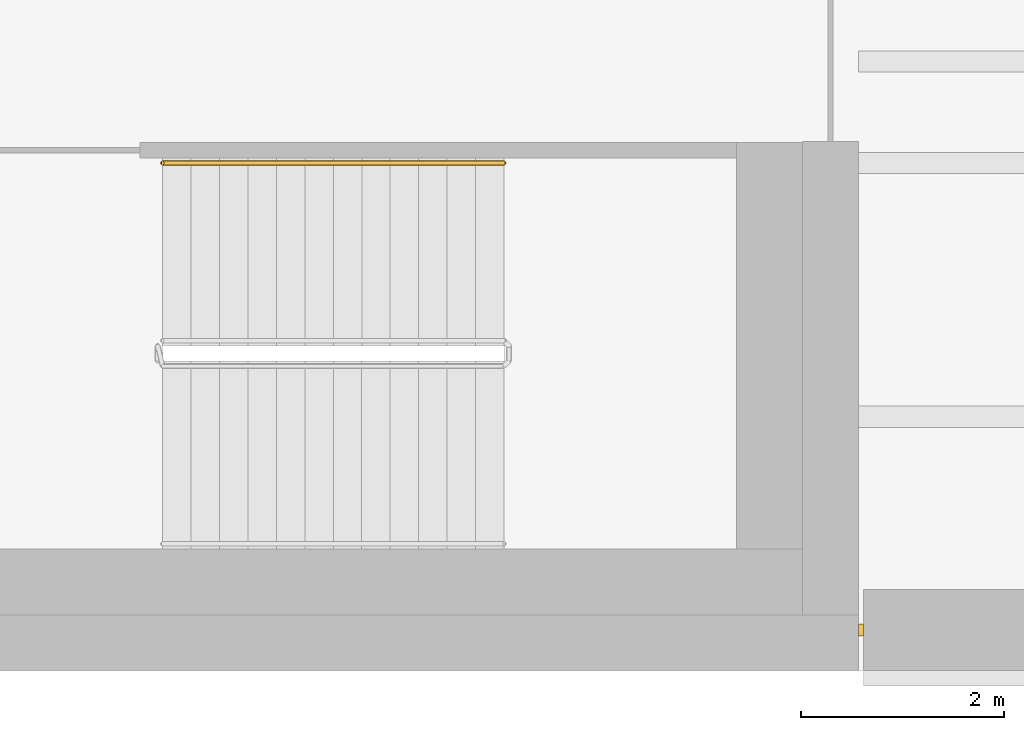
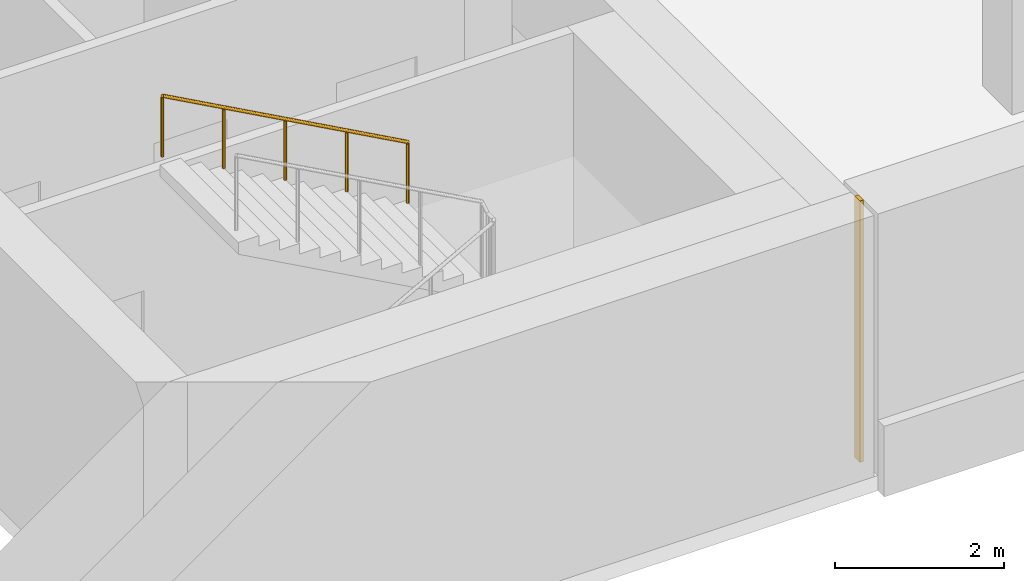
# One storey, part 15 of 16: 1 covering, 1 railing.
"""IFC4 building model written with IfcOpenShell, lengths in metres."""

from ifc_helpers import new_model, si_unit, direction, frame, origin, origin_2d, place, context, subcontext, project, spatial, rectangle, circle, extrude, material, layer, layer_set, type_object, element, save


model = new_model("IFC4")

# Units and contexts
model_context = context("Model", 3, precision=1e-05, world=origin(), true_north=direction((0.0, 1.0)))
body_context = subcontext(model_context, "Body", "Model", "MODEL_VIEW")
ifc_project = project(units=[si_unit("LENGTHUNIT", "METRE"), si_unit("AREAUNIT", "SQUARE_METRE"), si_unit("VOLUMEUNIT", "CUBIC_METRE"), si_unit("PLANEANGLEUNIT", "RADIAN"), si_unit("MASSUNIT", "GRAM", prefix="KILO")], contexts=[model_context])

# Site, building, storey
site_placement = place(None, origin())
site = spatial("IfcSite", under=ifc_project, at=site_placement, CompositionType="ELEMENT")
building_placement = place(site_placement, origin())
building = spatial("IfcBuilding", under=site, at=building_placement, Name="Zellij Exchange Tower", CompositionType="ELEMENT")
storey_placement = place(building_placement, frame((0.0, 0.0, 280.5)))
storey = spatial("IfcBuildingStorey", under=building, at=storey_placement, Name="L66", CompositionType="ELEMENT", Elevation=280.5)

# Railing
ifc_material_1 = material(Name="Stainless steel", Category="steel")
railing_type = type_object("IfcRailingType", Name="CORE-RH stair handrail", PredefinedType="HANDRAIL", material=ifc_material_1)
railing_placement = place(storey_placement, frame((23.510009765625, -9.0, 2.15380859375)))
element("IfcRailing", 1, at=railing_placement, inside=storey, type_object=railing_type, Name="ST4 stair handrail L66", PredefinedType="HANDRAIL", context=body_context, shape_type="SweptSolid", body=[
    extrude(circle(Radius=0.02392578125, at=origin_2d()), frame((0.0, 0.0, 0.8759765625), z_axis=(-0.876421534553, 0.0, 0.481544695509), x_axis=(0.0, -1.0, 0.0)), (0.0, 0.0, 1.0), 3.833984375),
    extrude(circle(Radius=0.02099609375, at=origin_2d()), origin(), (0.0, 0.0, 1.0), 0.851806640625),
    extrude(circle(Radius=0.02099609375, at=origin_2d()), frame((-0.840087890625, 0.0, 0.46142578125)), (0.0, 0.0, 1.0), 0.851806640625),
    extrude(circle(Radius=0.02099609375, at=origin_2d()), frame((-1.68017578125, 0.0, 0.923095703125)), (0.0, 0.0, 1.0), 0.851806640625),
    extrude(circle(Radius=0.02099609375, at=origin_2d()), frame((-2.52001953125, 0.0, 1.384765625)), (0.0, 0.0, 1.0), 0.851806640625),
    extrude(circle(Radius=0.02099609375, at=origin_2d()), frame((-3.360107421875, 0.0, 1.84619140625)), (0.0, 0.0, 1.0), 0.851806640625),
])

# Covering
ifc_material_2 = material(Name="Limestone cladding", Category="masonry")
ifc_layer = layer(ifc_material_2, 0.1201171875)
ifc_layer_set = layer_set([ifc_layer], Name="Limestone cladding")
covering_type = type_object("IfcCoveringType", Name="ENV-CV18 Glazing closer 120", PredefinedType="CLADDING", material=ifc_layer_set)
covering_placement = place(storey_placement, frame((27.02490234375, -13.60009765625, 0.0), z_axis=(0.0, 0.0, 1.0), x_axis=(-1.0, 0.0, 0.0)))
element("IfcCovering", 2, at=covering_placement, inside=storey, type_object=covering_type, Name="Glazing closer", PredefinedType="CLADDING", context=body_context, shape_type="SweptSolid", body=[
    extrude(rectangle(XDim=0.050048828125, YDim=0.1201171875, at=origin_2d()), origin(), (0.0, 0.0, 1.0), 3.780029296875),
])

save(model, "model.ifc")
